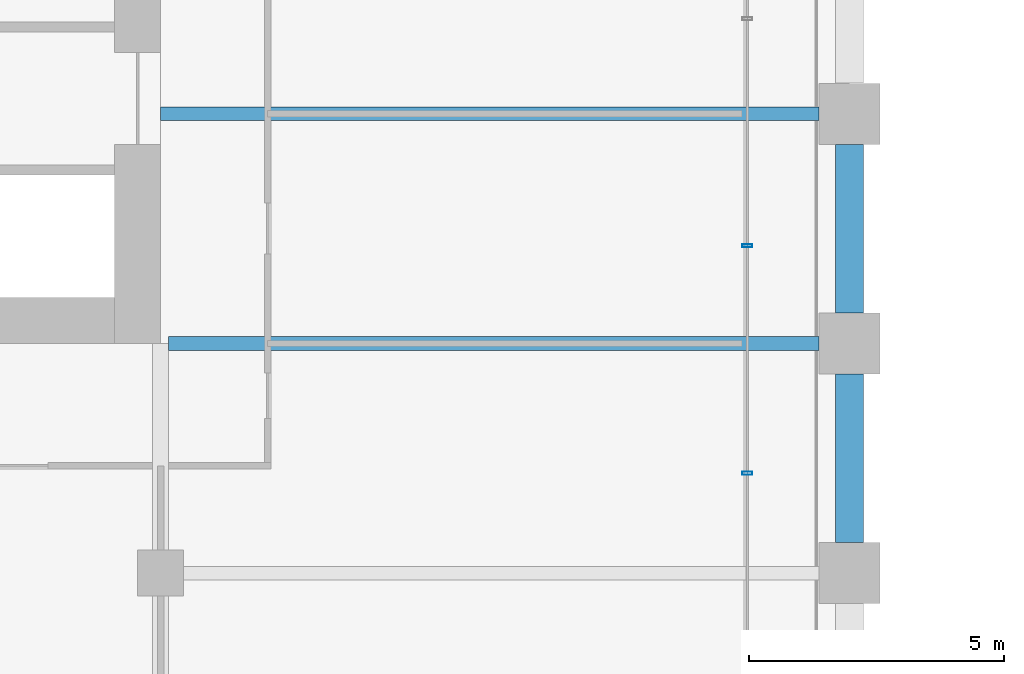
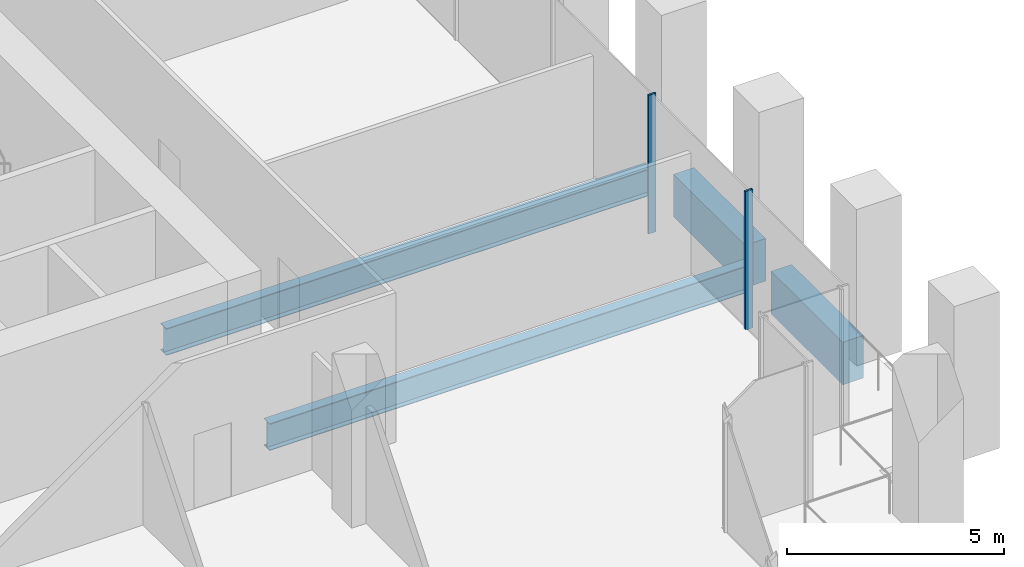
# One storey, part 10 of 36: 4 beams, 2 members, 1 element without a shape of its own.
"""IFC4 building model written with IfcOpenShell, lengths in metres."""

from ifc_helpers import new_model, si_unit, direction, frame, origin, origin_2d, place, context, subcontext, project, spatial, rectangle, hollow_rectangle, i_section, extrude, material, material_profile, profile_set, type_object, element, aggregate, save


model = new_model("IFC4")

# Units and contexts
model_context = context("Model", 3, precision=1e-05, world=origin(), true_north=direction((0.0, 1.0)))
body_context = subcontext(model_context, "Body", "Model", "MODEL_VIEW")
ifc_project = project(units=[si_unit("LENGTHUNIT", "METRE"), si_unit("AREAUNIT", "SQUARE_METRE"), si_unit("VOLUMEUNIT", "CUBIC_METRE"), si_unit("PLANEANGLEUNIT", "RADIAN"), si_unit("MASSUNIT", "GRAM", prefix="KILO")], contexts=[model_context])

# Site, building, storey
site_placement = place(None, origin())
site = spatial("IfcSite", under=ifc_project, at=site_placement, CompositionType="ELEMENT")
building_placement = place(site_placement, origin())
building = spatial("IfcBuilding", under=site, at=building_placement, Name="Altepetl Exchange Towers", CompositionType="ELEMENT")
storey_placement = place(building_placement, frame((0.0, 0.0, 25.39990234375)))
storey = spatial("IfcBuildingStorey", under=building, at=storey_placement, Name="L05", CompositionType="ELEMENT", Elevation=25.39990234375)

# Beams
ifc_material_1 = material(Name="Steel S355", Category="steel")
ifc_material_profile_1 = material_profile(ifc_material_1, i_section(OverallWidth=0.26611328125, OverallDepth=0.758056640625, WebThickness=0.013916015625, FlangeThickness=0.019287109375, at=origin_2d()), Name="W30X108")
ifc_profile_set_1 = profile_set([ifc_material_profile_1], Name="Steel S355")
beam_type_1 = type_object("IfcBeamType", Name="Floor beam W30X108", PredefinedType="BEAM", material=ifc_profile_set_1)
beam_1_placement = place(storey_placement, frame((58.654052734375, 40.5, -0.553955078125), z_axis=(1.0, 0.0, 0.0), x_axis=(0.0, 1.0, 0.0)))
element("IfcBeam", 1, at=beam_1_placement, inside=storey, type_object=beam_type_1, Name="bm:A:L05:008", PredefinedType="BEAM", context=body_context, shape_type="SweptSolid", body=[
    extrude(i_section(OverallWidth=0.26611328125, OverallDepth=0.758056640625, WebThickness=0.013916015625, FlangeThickness=0.019287109375, at=origin_2d()), origin(), (0.0, 0.0, 1.0), 12.745849609375),
])
beam_2_placement = place(storey_placement, frame((58.5, 45.0, -0.553955078125), z_axis=(1.0, 0.0, 0.0), x_axis=(0.0, 1.0, 0.0)))
element("IfcBeam", 2, at=beam_2_placement, inside=storey, type_object=beam_type_1, Name="bm:A:L05:009", PredefinedType="BEAM", context=body_context, shape_type="SweptSolid", body=[
    extrude(i_section(OverallWidth=0.26611328125, OverallDepth=0.758056640625, WebThickness=0.013916015625, FlangeThickness=0.019287109375, at=origin_2d()), origin(), (0.0, 0.0, 1.0), 12.89990234375),
])

# Curtain wall, members
ifc_material_2 = material(Name="Aluminium 6063-T6 glazing", Category="aluminium")
curtain_wall_type = type_object("IfcCurtainWallType", Name="Trading floor glazing system", PredefinedType="NOTDEFINED", material=ifc_material_2)
curtain_wall_placement = place(storey_placement, origin())
curtain_wall = element("IfcCurtainWall", 3, at=curtain_wall_placement, inside=storey, type_object=curtain_wall_type, Name="CW2 run", PredefinedType="NOTDEFINED")
ifc_material_3 = material(Name="Aluminium 6063-T6", Category="aluminium")
ifc_material_profile_2 = material_profile(ifc_material_3, hollow_rectangle(XDim=0.06005859375, YDim=0.199951171875, WallThickness=0.0029296875, at=origin_2d()), Name="Mullion 60x200 aluminium")
ifc_profile_set_2 = profile_set([ifc_material_profile_2], Name="Aluminium 6063-T6")
member_type = type_object("IfcMemberType", Name="Mullion 60x200 aluminium", PredefinedType="MULLION", material=ifc_profile_set_2)
member_1_placement = place(storey_placement, frame((70.0, 37.9560546875, 0.0), z_axis=(0.0, 0.0, 1.0), x_axis=(0.0, 1.0, 0.0)))
member_1 = element("IfcMember", 4, at=member_1_placement, type_object=member_type, Name="MU2 mullion", PredefinedType="MULLION", context=body_context, shape_type="SweptSolid", body=[
    extrude(hollow_rectangle(XDim=0.06005859375, YDim=0.199951171875, WallThickness=0.0029296875, at=origin_2d()), origin(), (0.0, 0.0, 1.0), 3.900146484375),
])
member_2_placement = place(storey_placement, frame((70.0, 42.412109375, 0.0), z_axis=(0.0, 0.0, 1.0), x_axis=(0.0, 1.0, 0.0)))
member_2 = element("IfcMember", 5, at=member_2_placement, type_object=member_type, Name="MU2 mullion", PredefinedType="MULLION", context=body_context, shape_type="SweptSolid", body=[
    extrude(hollow_rectangle(XDim=0.06005859375, YDim=0.199951171875, WallThickness=0.0029296875, at=origin_2d()), origin(), (0.0, 0.0, 1.0), 3.900146484375),
])
aggregate(curtain_wall, [member_1, member_2])

# Beams
ifc_material_4 = material(Name="Concrete C50/60 precast with cantera amarilla facing", Category="concrete")
ifc_material_profile_3 = material_profile(ifc_material_4, rectangle(XDim=0.550048828125, YDim=1.199951171875, at=origin_2d()), Name="550 x 1200")
ifc_profile_set_3 = profile_set([ifc_material_profile_3], Name="Concrete C50/60 precast with cantera amarilla facing")
beam_type_2 = type_object("IfcBeamType", Name="Spandrel beam 550x1200 cantera amarilla", PredefinedType="SPANDREL", material=ifc_profile_set_3)
for number, where, z_axis, x_axis, name in (
    (6, (72.0, 36.60009765625, -0.77490234375), (0.0, 1.0, 0.0), (-1.0, 0.0, 0.0), "sp:A:L05:013"),
    (7, (72.0, 41.10009765625, -0.77490234375), (0.0, 1.0, 0.0), (-1.0, 0.0, 0.0), "sp:A:L05:014"),
):
    element("IfcBeam", number, at=place(storey_placement, frame(where, z_axis=z_axis, x_axis=x_axis)), inside=storey, type_object=beam_type_2, Name=name, PredefinedType="SPANDREL", context=body_context, shape_type="SweptSolid", body=[
        extrude(rectangle(XDim=0.550048828125, YDim=1.199951171875, at=origin_2d()), origin(), (0.0, 0.0, 1.0), 3.2998046875),
    ])

save(model, "model.ifc")
